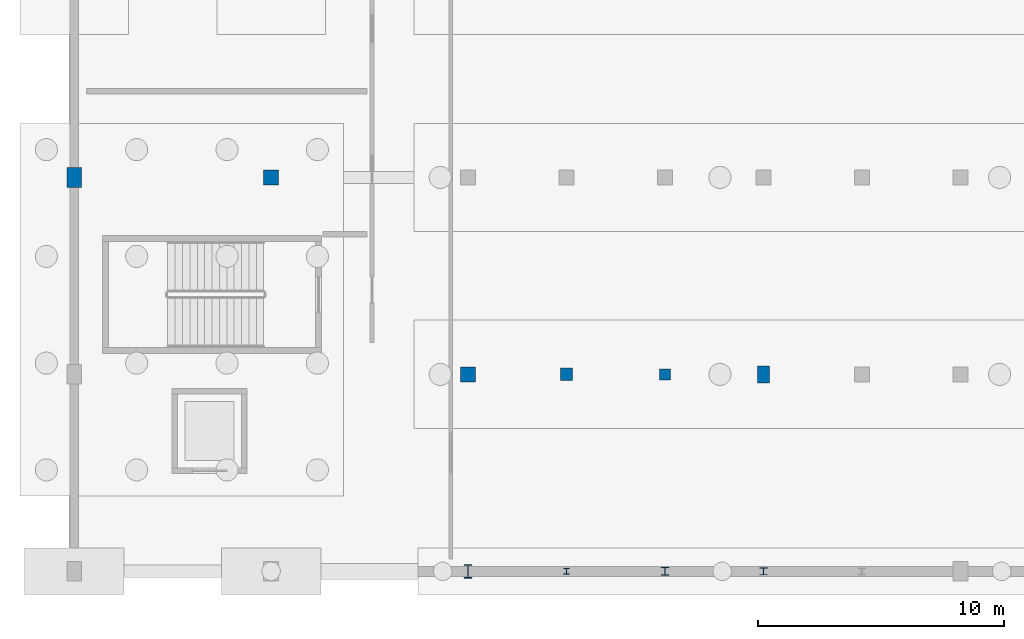
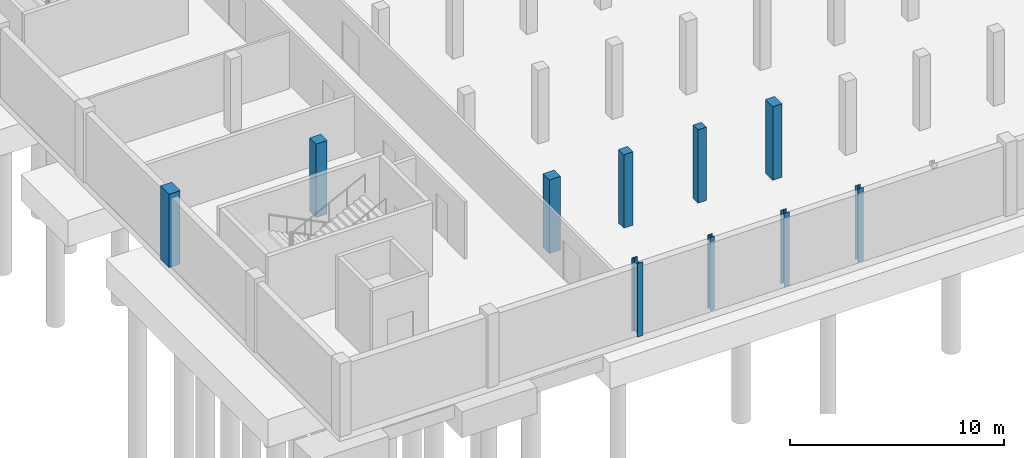
# One storey, part 2 of 15: 10 columns.
"""IFC4 building model written with IfcOpenShell, lengths in metres."""

from ifc_helpers import new_model, si_unit, derived_unit, direction, frame, origin, origin_2d, place, context, subcontext, project, spatial, rectangle, i_section, extrude, material, material_profile, profile_set, type_object, element, save


model = new_model("IFC4")

# Units and contexts
model_context = context("Model", 3, precision=1e-05, world=origin(), true_north=direction((0.0, 1.0)))
body_context = subcontext(model_context, "Body", "Model", "MODEL_VIEW")
ifc_project = project(units=[si_unit("LENGTHUNIT", "METRE"), si_unit("AREAUNIT", "SQUARE_METRE"), si_unit("VOLUMEUNIT", "CUBIC_METRE"), si_unit("PLANEANGLEUNIT", "RADIAN"), si_unit("MASSUNIT", "GRAM", prefix="KILO"), derived_unit("THERMALTRANSMITTANCEUNIT", [(si_unit("POWERUNIT", "WATT"), 1), (si_unit("LENGTHUNIT", "METRE"), -2), (si_unit("THERMODYNAMICTEMPERATUREUNIT", "KELVIN"), -1)])], contexts=[model_context])

# Site, building, storey
site_placement = place(None, origin())
site = spatial("IfcSite", under=ifc_project, at=site_placement, CompositionType="ELEMENT")
building_placement = place(site_placement, origin())
building = spatial("IfcBuilding", under=site, at=building_placement, Name="Keldorne Ridge Multi-Sports Centre", CompositionType="ELEMENT")
storey_placement = place(building_placement, frame((0.0, 0.0, -4.199951171875)))
storey = spatial("IfcBuildingStorey", under=building, at=storey_placement, Name="B01", CompositionType="ELEMENT", Elevation=-4.199951171875)

# Columns
ifc_material_1 = material(Name="Steel S355", Category="steel")
ifc_material_profile_1 = material_profile(ifc_material_1, i_section(OverallWidth=0.239990234375, OverallDepth=0.239990234375, WebThickness=0.010009765625, FlangeThickness=0.01708984375, FilletRadius=0.02099609375, at=origin_2d()), Name="HEB 240")
ifc_profile_set_1 = profile_set([ifc_material_profile_1], Name="Steel S355")
column_type_1 = type_object("IfcColumnType", Name="COL-C-14", PredefinedType="COLUMN", material=ifc_profile_set_1)
column_1_placement = place(storey_placement, frame((124.0, 66.0, 0.0), z_axis=(0.0, 0.0, 1.0), x_axis=(1.0, 0.0, 0.0)))
element("IfcColumn", 1, at=column_1_placement, inside=storey, type_object=column_type_1, Name="Structural column V5-C-04-01 on B01", PredefinedType="COLUMN", context=body_context, shape_type="SweptSolid", body=[
    extrude(i_section(OverallWidth=0.239990234375, OverallDepth=0.239990234375, WebThickness=0.010009765625, FlangeThickness=0.01708984375, FilletRadius=0.02099609375, at=origin_2d()), origin(), (0.0, 0.0, 1.0), 4.199951171875),
])
ifc_material_profile_2 = material_profile(ifc_material_1, i_section(OverallWidth=0.300048828125, OverallDepth=0.2900390625, WebThickness=0.008544921875, FlangeThickness=0.013916015625, FilletRadius=0.027099609375, at=origin_2d()), Name="HEA 300")
ifc_profile_set_2 = profile_set([ifc_material_profile_2], Name="Steel S355")
column_type_2 = type_object("IfcColumnType", Name="COL-C-17", PredefinedType="COLUMN", material=ifc_profile_set_2)
column_2_placement = place(storey_placement, frame((132.0, 66.0, 0.0), z_axis=(0.0, 0.0, 1.0), x_axis=(1.0, 0.0, 0.0)))
element("IfcColumn", 2, at=column_2_placement, inside=storey, type_object=column_type_2, Name="Structural column V5-C-06-01 on B01", PredefinedType="COLUMN", context=body_context, shape_type="SweptSolid", body=[
    extrude(i_section(OverallWidth=0.300048828125, OverallDepth=0.2900390625, WebThickness=0.008544921875, FlangeThickness=0.013916015625, FilletRadius=0.027099609375, at=origin_2d()), origin(), (0.0, 0.0, 1.0), 4.199951171875),
])
ifc_material_2 = material(Name="Concrete C40/50", Category="concrete")
ifc_material_profile_3 = material_profile(ifc_material_2, rectangle(XDim=0.60009765625, YDim=0.60009765625, at=origin_2d()), Name="RC 600x600")
ifc_profile_set_3 = profile_set([ifc_material_profile_3], Name="Concrete C40/50")
column_type_3 = type_object("IfcColumnType", Name="COL-C-20", PredefinedType="COLUMN", material=ifc_profile_set_3)
for number, where, z_axis, x_axis, name in (
    (3, (112.0, 82.0, 0.0), (0.0, 0.0, 1.0), (1.0, 0.0, 0.0), "Structural column V5-C-02-03 on B01"),
    (4, (120.0, 74.0, 0.0), (0.0, 0.0, 1.0), (1.0, 0.0, 0.0), "Structural column V5-C-03-02 on B01"),
):
    element("IfcColumn", number, at=place(storey_placement, frame(where, z_axis=z_axis, x_axis=x_axis)), inside=storey, type_object=column_type_3, Name=name, PredefinedType="COLUMN", context=body_context, shape_type="SweptSolid", body=[
        extrude(rectangle(XDim=0.60009765625, YDim=0.60009765625, at=origin_2d()), origin(), (0.0, 0.0, 1.0), 4.199951171875),
    ])
ifc_material_profile_4 = material_profile(ifc_material_2, rectangle(XDim=0.5, YDim=0.5, at=origin_2d()), Name="RC 500x500")
ifc_profile_set_4 = profile_set([ifc_material_profile_4], Name="Concrete C40/50")
column_type_4 = type_object("IfcColumnType", Name="COL-C-21", PredefinedType="COLUMN", material=ifc_profile_set_4)
column_3_placement = place(storey_placement, frame((124.0, 74.0, 0.0), z_axis=(0.0, 0.0, 1.0), x_axis=(1.0, 0.0, 0.0)))
element("IfcColumn", 5, at=column_3_placement, inside=storey, type_object=column_type_4, Name="Structural column V5-C-04-02 on B01", PredefinedType="COLUMN", context=body_context, shape_type="SweptSolid", body=[
    extrude(rectangle(XDim=0.5, YDim=0.5, at=origin_2d()), origin(), (0.0, 0.0, 1.0), 4.199951171875),
])
ifc_material_profile_5 = material_profile(ifc_material_2, rectangle(XDim=0.449951171875, YDim=0.449951171875, at=origin_2d()), Name="RC 450x450")
ifc_profile_set_5 = profile_set([ifc_material_profile_5], Name="Concrete C40/50")
column_type_5 = type_object("IfcColumnType", Name="COL-C-22", PredefinedType="COLUMN", material=ifc_profile_set_5)
column_4_placement = place(storey_placement, frame((128.0, 74.0, 0.0), z_axis=(0.0, 0.0, 1.0), x_axis=(1.0, 0.0, 0.0)))
element("IfcColumn", 6, at=column_4_placement, inside=storey, type_object=column_type_5, Name="Structural column V5-C-05-02 on B01", PredefinedType="COLUMN", context=body_context, shape_type="SweptSolid", body=[
    extrude(rectangle(XDim=0.449951171875, YDim=0.449951171875, at=origin_2d()), origin(), (0.0, 0.0, 1.0), 4.199951171875),
])
ifc_material_profile_6 = material_profile(ifc_material_2, rectangle(XDim=0.60009765625, YDim=0.800048828125, at=origin_2d()), Name="RC 600x800")
ifc_profile_set_6 = profile_set([ifc_material_profile_6], Name="Concrete C40/50")
column_type_6 = type_object("IfcColumnType", Name="COL-C-23", PredefinedType="COLUMN", material=ifc_profile_set_6)
column_5_placement = place(storey_placement, frame((104.0, 82.0, 0.0), z_axis=(0.0, 0.0, 1.0), x_axis=(1.0, 0.0, 0.0)))
element("IfcColumn", 7, at=column_5_placement, inside=storey, type_object=column_type_6, Name="Structural column V5-C-01-03 on B01", PredefinedType="COLUMN", context=body_context, shape_type="SweptSolid", body=[
    extrude(rectangle(XDim=0.60009765625, YDim=0.800048828125, at=origin_2d()), origin(), (0.0, 0.0, 1.0), 4.199951171875),
])
ifc_material_profile_7 = material_profile(ifc_material_2, rectangle(XDim=0.5, YDim=0.699951171875, at=origin_2d()), Name="RC 500x700")
ifc_profile_set_7 = profile_set([ifc_material_profile_7], Name="Concrete C40/50")
column_type_7 = type_object("IfcColumnType", Name="COL-C-24", PredefinedType="COLUMN", material=ifc_profile_set_7)
column_6_placement = place(storey_placement, frame((132.0, 74.0, 0.0), z_axis=(0.0, 0.0, 1.0), x_axis=(1.0, 0.0, 0.0)))
element("IfcColumn", 8, at=column_6_placement, inside=storey, type_object=column_type_7, Name="Structural column V5-C-06-02 on B01", PredefinedType="COLUMN", context=body_context, shape_type="SweptSolid", body=[
    extrude(rectangle(XDim=0.5, YDim=0.699951171875, at=origin_2d()), origin(), (0.0, 0.0, 1.0), 4.199951171875),
])
ifc_material_profile_8 = material_profile(ifc_material_1, i_section(OverallWidth=0.300048828125, OverallDepth=0.550048828125, WebThickness=0.014892578125, FlangeThickness=0.029052734375, FilletRadius=0.027099609375, at=origin_2d()), Name="HEB 550")
ifc_profile_set_8 = profile_set([ifc_material_profile_8], Name="Steel S355")
column_type_8 = type_object("IfcColumnType", Name="COL-C-27", PredefinedType="COLUMN", material=ifc_profile_set_8)
column_7_placement = place(storey_placement, frame((120.0, 66.0, 0.0), z_axis=(0.0, 0.0, 1.0), x_axis=(1.0, 0.0, 0.0)))
element("IfcColumn", 9, at=column_7_placement, inside=storey, type_object=column_type_8, Name="Structural column V5-C-03-01 on B01", PredefinedType="COLUMN", context=body_context, shape_type="SweptSolid", body=[
    extrude(i_section(OverallWidth=0.300048828125, OverallDepth=0.550048828125, WebThickness=0.014892578125, FlangeThickness=0.029052734375, FilletRadius=0.027099609375, at=origin_2d()), origin(), (0.0, 0.0, 1.0), 4.199951171875),
])
ifc_material_profile_9 = material_profile(ifc_material_1, i_section(OverallWidth=0.300048828125, OverallDepth=0.320068359375, WebThickness=0.011474609375, FlangeThickness=0.0205078125, FilletRadius=0.027099609375, at=origin_2d()), Name="HEB 320")
ifc_profile_set_9 = profile_set([ifc_material_profile_9], Name="Steel S355")
column_type_9 = type_object("IfcColumnType", Name="COL-C-28", PredefinedType="COLUMN", material=ifc_profile_set_9)
column_8_placement = place(storey_placement, frame((128.0, 66.0, 0.0), z_axis=(0.0, 0.0, 1.0), x_axis=(1.0, 0.0, 0.0)))
element("IfcColumn", 10, at=column_8_placement, inside=storey, type_object=column_type_9, Name="Structural column V5-C-05-01 on B01", PredefinedType="COLUMN", context=body_context, shape_type="SweptSolid", body=[
    extrude(i_section(OverallWidth=0.300048828125, OverallDepth=0.320068359375, WebThickness=0.011474609375, FlangeThickness=0.0205078125, FilletRadius=0.027099609375, at=origin_2d()), origin(), (0.0, 0.0, 1.0), 4.199951171875),
])

save(model, "model.ifc")
